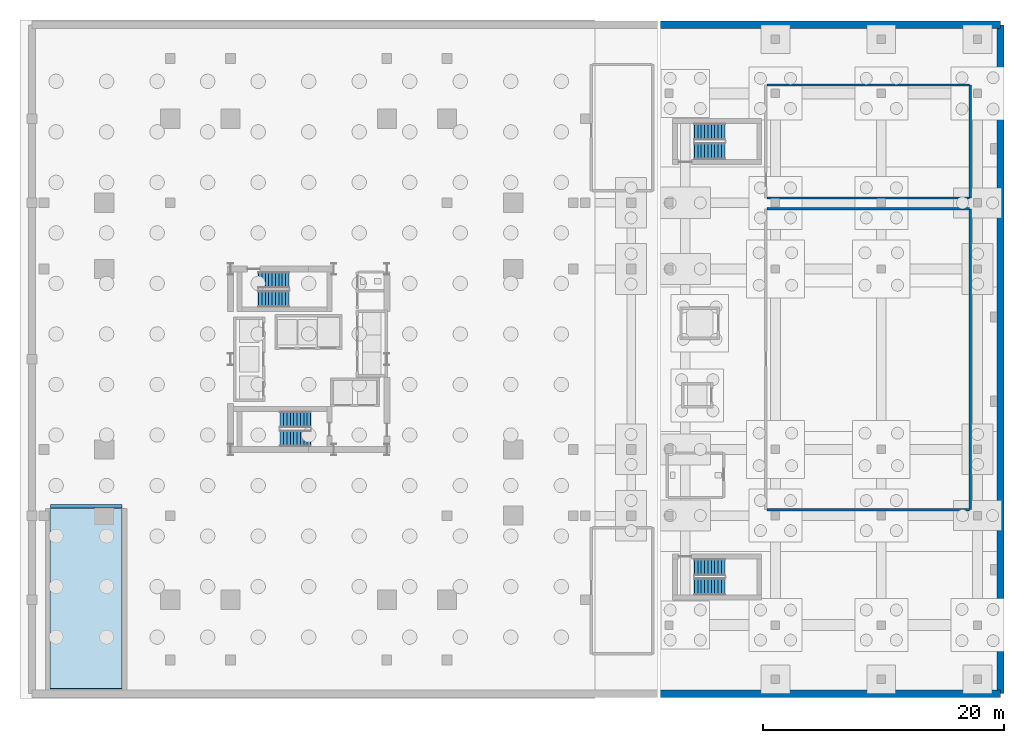
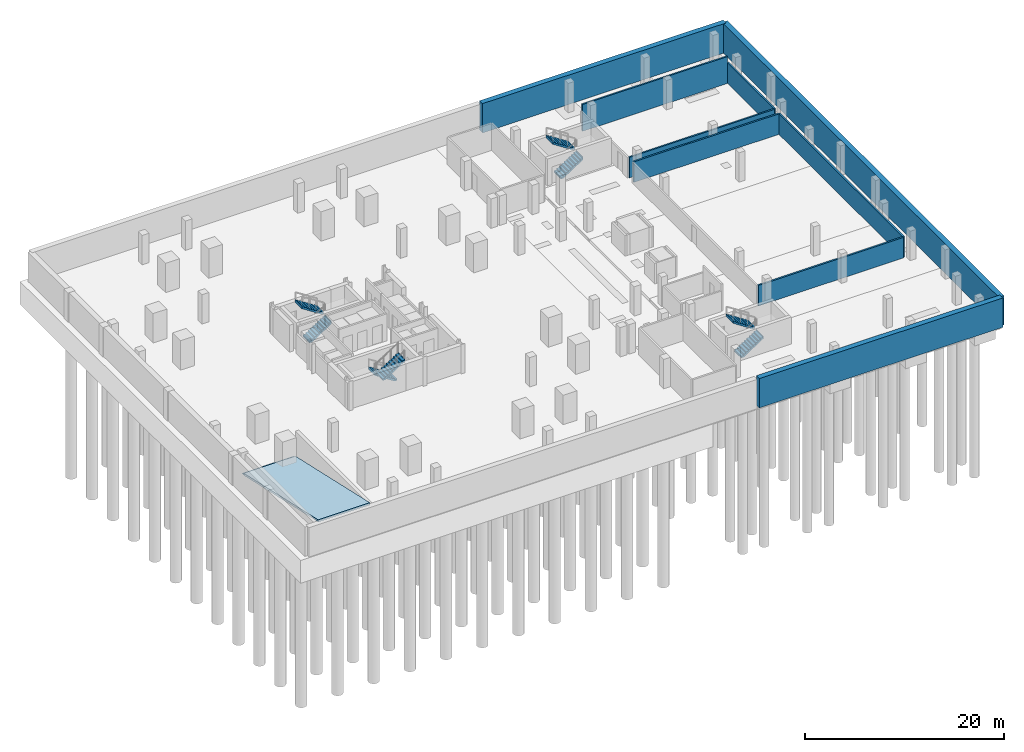
# One storey, part 7 of 13: 9 walls, 8 stair flights, 1 ramp, 1 slab, 4 elements without a shape of their own.
"""IFC4 building model written with IfcOpenShell, lengths in metres."""

from ifc_helpers import new_model, si_unit, direction, frame, frame_2d, origin, origin_2d, place, context, subcontext, project, spatial, polyline, rectangle, outline, extrude, material, layer, layer_set, type_object, element, aggregate, save


model = new_model("IFC4")

# Units and contexts
model_context = context("Model", 3, precision=1e-05, world=origin(), true_north=direction((0.0, 1.0)))
body_context = subcontext(model_context, "Body", "Model", "MODEL_VIEW")
ifc_project = project(units=[si_unit("LENGTHUNIT", "METRE"), si_unit("AREAUNIT", "SQUARE_METRE"), si_unit("VOLUMEUNIT", "CUBIC_METRE"), si_unit("PLANEANGLEUNIT", "RADIAN"), si_unit("MASSUNIT", "GRAM", prefix="KILO")], contexts=[model_context])

# Slab
ifc_material_1 = material(Name="Concrete C45", Category="concrete")
ifc_layer_1 = layer(ifc_material_1, 0.25, Name="Concrete C45")
ifc_layer_set_1 = layer_set([ifc_layer_1], Name="Concrete C45")
slab_type = type_object("IfcSlabType", Name="Vehicle Ramp Structural Slab 250 Concrete C45", PredefinedType="FLOOR", material=ifc_layer_set_1)
site_placement = place(None, origin())
building_placement = place(site_placement, origin())
storey_placement = place(building_placement, frame((0.0, 0.0, -7.199951171875)))
slab_placement = place(storey_placement, frame((-21.5, -27.364990234375, 3.599853515625), z_axis=(0.0, 0.218757190215, 0.975779325324), x_axis=(1.0, 0.0, 0.0)))
slab = element("IfcSlab", 1, at=slab_placement, type_object=slab_type, Name="Vehicle Ramp Structural Slab SL-RMF-V1", PredefinedType="FLOOR", context=body_context, shape_type="SweptSolid", body=[
    extrude(outline(polyline([(0.0, 0.0), (6.0, 0.0), (6.0, 15.336549465894372), (0.0, 15.336549465894372), (0.0, 0.0)])), origin(), (0.0, 0.0, -1.0), 0.25),
])

# Site, building, storey
site = spatial("IfcSite", under=ifc_project, at=site_placement, CompositionType="ELEMENT")
building = spatial("IfcBuilding", under=site, at=building_placement, Name="Barlavira Tower and Art Museum", CompositionType="ELEMENT")
storey = spatial("IfcBuildingStorey", under=building, at=storey_placement, Name="B02", CompositionType="ELEMENT", Elevation=-7.199951171875)

# Walls
ifc_material_2 = material(Name="Autoclaved aerated concrete masonry", Category="masonry")
ifc_layer_2 = layer(ifc_material_2, 0.199951171875, Name="Autoclaved aerated concrete masonry")
ifc_layer_set_2 = layer_set([ifc_layer_2], Name="Autoclaved aerated concrete masonry")
wall_type_1 = type_object("IfcWallType", Name="Fire Compartment and Shaft Wall 200", PredefinedType="SOLIDWALL", material=ifc_layer_set_2)
wall_1_placement = place(storey_placement, frame((55.0, -12.5, 0.0), z_axis=(0.0, 0.0, 1.0), x_axis=(0.0, 1.0, 0.0)))
element("IfcWall", 2, at=wall_1_placement, inside=storey, type_object=wall_type_1, Name="B02 Partition Wall 10", PredefinedType="SOLIDWALL", context=body_context, shape_type="SweptSolid", body=[
    extrude(rectangle(XDim=25.0, YDim=0.199951171875, at=frame_2d((12.5, 0.0))), origin(), (0.0, 0.0, 1.0), 2.516845703125),
])
for number, where, z_axis, x_axis, name in (
    (3, (38.080078125, -12.5, 0.0), (0.0, 0.0, 1.0), (1.0, 0.0, 0.0), "B02 Partition Wall 14"),
    (4, (38.080078125, 12.5, 0.0), (0.0, 0.0, 1.0), (1.0, 0.0, 0.0), "B02 Partition Wall 19"),
):
    element("IfcWall", number, at=place(storey_placement, frame(where, z_axis=z_axis, x_axis=x_axis)), inside=storey, type_object=wall_type_1, Name=name, PredefinedType="SOLIDWALL", context=body_context, shape_type="SweptSolid", body=[
        extrude(rectangle(XDim=16.83984375, YDim=0.199951171875, at=frame_2d((8.419921875, 0.0))), origin(), (0.0, 0.0, 1.0), 2.516845703125),
    ])
ifc_material_3 = material(Name="Gypsum acoustic stud partition", Category="gypsum")
ifc_layer_3 = layer(ifc_material_3, 0.179931640625, Name="Gypsum acoustic stud partition")
ifc_layer_set_3 = layer_set([ifc_layer_3], Name="Gypsum acoustic stud partition")
wall_type_2 = type_object("IfcWallType", Name="Inter-Tenancy Party Partition Wall 180", PredefinedType="PARTITIONING", material=ifc_layer_set_3)
wall_2_placement = place(storey_placement, frame((55.0, 13.39990234375, 0.0), z_axis=(0.0, 0.0, 1.0), x_axis=(0.0, 1.0, 0.0)))
element("IfcWall", 5, at=wall_2_placement, inside=storey, type_object=wall_type_2, Name="B02 Partition Wall 11", PredefinedType="PARTITIONING", context=body_context, shape_type="SweptSolid", body=[
    extrude(rectangle(XDim=9.400146484375, YDim=0.179931640625, at=frame_2d((4.7001953125, 0.0))), origin(), (0.0, 0.0, 1.0), 2.516845703125),
])
wall_3_placement = place(storey_placement, frame((38.080078125, 13.39990234375, 0.0), z_axis=(0.0, 0.0, 1.0), x_axis=(1.0, 0.0, 0.0)))
element("IfcWall", 6, at=wall_3_placement, inside=storey, type_object=wall_type_2, Name="B02 Partition Wall 20", PredefinedType="PARTITIONING", context=body_context, shape_type="SweptSolid", body=[
    extrude(rectangle(XDim=16.83984375, YDim=0.179931640625, at=frame_2d((8.419921875, 0.0))), origin(), (0.0, 0.0, 1.0), 2.516845703125),
])
wall_4_placement = place(storey_placement, frame((38.080078125, 22.800048828125, 0.0), z_axis=(0.0, 0.0, 1.0), x_axis=(1.0, 0.0, 0.0)))
element("IfcWall", 7, at=wall_4_placement, inside=storey, type_object=wall_type_2, Name="B02 Partition Wall 22", PredefinedType="PARTITIONING", context=body_context, shape_type="SweptSolid", body=[
    extrude(rectangle(XDim=16.83984375, YDim=0.179931640625, at=frame_2d((8.419921875, 0.0))), origin(), (0.0, 0.0, 1.0), 3.300048828125),
])
ifc_material_4 = material(Name="Concrete C50", Category="concrete")
ifc_layer_4 = layer(ifc_material_4, 0.60009765625, Name="Concrete C50")
ifc_layer_set_4 = layer_set([ifc_layer_4], Name="Concrete C50")
wall_type_3 = type_object("IfcWallType", Name="Perimeter Basement Retaining Wall 600 Concrete C50", PredefinedType="USERDEFINED", material=ifc_layer_set_4)
wall_5_placement = place(storey_placement, frame((29.25, -27.800048828125, 0.0), z_axis=(0.0, 0.0, 1.0), x_axis=(1.0, 0.0, 0.0)))
element("IfcWall", 8, at=wall_5_placement, inside=storey, type_object=wall_type_3, Name="B02 Retaining Wall SE", ObjectType="RETAININGWALL", PredefinedType="USERDEFINED", context=body_context, shape_type="SweptSolid", body=[
    extrude(rectangle(XDim=28.25, YDim=0.60009765625, at=frame_2d((14.125, 0.0))), origin(), (0.0, 0.0, 1.0), 3.599853515625),
])
wall_6_placement = place(storey_placement, frame((57.5, -27.800048828125, 0.0), z_axis=(0.0, 0.0, 1.0), x_axis=(0.0, 1.0, 0.0)))
element("IfcWall", 9, at=wall_6_placement, inside=storey, type_object=wall_type_3, Name="B02 Retaining Wall E", ObjectType="RETAININGWALL", PredefinedType="USERDEFINED", context=body_context, shape_type="SweptSolid", body=[
    extrude(rectangle(XDim=55.60009765625, YDim=0.60009765625, at=frame_2d((27.800048828125, 0.0))), origin(), (0.0, 0.0, 1.0), 3.599853515625),
])
wall_7_placement = place(storey_placement, frame((57.5, 27.800048828125, 0.0), z_axis=(0.0, 0.0, 1.0), x_axis=(-1.0, 0.0, 0.0)))
element("IfcWall", 10, at=wall_7_placement, inside=storey, type_object=wall_type_3, Name="B02 Retaining Wall NE", ObjectType="RETAININGWALL", PredefinedType="USERDEFINED", context=body_context, shape_type="SweptSolid", body=[
    extrude(rectangle(XDim=28.25, YDim=0.60009765625, at=frame_2d((14.125, 0.0))), origin(), (0.0, 0.0, 1.0), 3.599853515625),
])

# Stair, stair flights
stair_type_1 = type_object("IfcStairType", Name="Museum North Dog-Leg Exit Stair Assembly Concrete C45", PredefinedType="TWO_QUARTER_TURN_STAIR", material=ifc_material_1)
stair_1_placement = place(storey_placement, origin())
stair_1 = element("IfcStair", 11, at=stair_1_placement, inside=storey, type_object=stair_type_1, Name="B02 Museum North Exit Stair ST-M2", PredefinedType="TWO_QUARTER_TURN_STAIR")
ifc_material_5 = material(Name="Precast concrete C45", Category="concrete")
stair_flight_type_1 = type_object("IfcStairFlightType", Name="Museum North Dog-Leg Exit Stair Precast Flight 1400 Concrete C45", PredefinedType="STRAIGHT", material=ifc_material_5)
stair_flight_1_placement = place(storey_placement, frame((32.070068359375, 17.300048828125, 0.0), z_axis=(0.0, 0.0, 1.0), x_axis=(1.0, 0.0, 0.0)))
stair_flight_1 = element("IfcStairFlight", 12, at=stair_flight_1_placement, type_object=stair_flight_type_1, Name="ST-M2 flight 1", NumberOfRisers=10, NumberOfTreads=9, PredefinedType="STRAIGHT", RiserHeight=0.18, TreadLength=0.28, context=body_context, shape_type="SweptSolid", body=[
    extrude(outline(polyline([(-0.02490234375, 0.0), (0.0, 0.0), (0.0, 0.179931640625), (0.280029296875, 0.179931640625), (0.280029296875, 0.360107421875), (0.56005859375, 0.360107421875), (0.56005859375, 0.5400390625), (0.840087890625, 0.5400390625), (0.840087890625, 0.719970703125), (1.1201171875, 0.719970703125), (1.1201171875, 0.89990234375), (1.39990234375, 0.89990234375), (1.39990234375, 1.080078125), (1.679931640625, 1.080078125), (1.679931640625, 1.260009765625), (1.9599609375, 1.260009765625), (1.9599609375, 1.43994140625), (2.239990234375, 1.43994140625), (2.239990234375, 1.6201171875), (2.52001953125, 1.6201171875), (2.52001953125, 1.800048828125), (2.544921875, 1.800048828125), (2.544921875, 1.44189453125), (2.52001953125, 1.44189453125), (0.277099609375, -0.02490234375), (-0.02490234375, -0.02490234375), (-0.02490234375, 0.0)])), frame((0.0, 0.699951171875, 0.0), z_axis=(0.0, -1.0, 0.0), x_axis=(1.0, 0.0, 0.0)), (0.0, 0.0, 1.0), 1.39990234375),
])
stair_flight_2_placement = place(storey_placement, frame((34.590087890625, 18.89990234375, 1.800048828125), z_axis=(0.0, 0.0, 1.0), x_axis=(-1.0, 0.0, 0.0)))
stair_flight_2 = element("IfcStairFlight", 13, at=stair_flight_2_placement, type_object=stair_flight_type_1, Name="ST-M2 flight 2", NumberOfRisers=10, NumberOfTreads=9, PredefinedType="STRAIGHT", RiserHeight=0.18, TreadLength=0.28, context=body_context, shape_type="SweptSolid", body=[
    extrude(outline(polyline([(-0.02490234375, 0.0), (0.0, 0.0), (0.0, 0.179931640625), (0.280029296875, 0.179931640625), (0.280029296875, 0.360107421875), (0.56005859375, 0.360107421875), (0.56005859375, 0.5400390625), (0.840087890625, 0.5400390625), (0.840087890625, 0.719970703125), (1.1201171875, 0.719970703125), (1.1201171875, 0.89990234375), (1.39990234375, 0.89990234375), (1.39990234375, 1.080078125), (1.679931640625, 1.080078125), (1.679931640625, 1.260009765625), (1.9599609375, 1.260009765625), (1.9599609375, 1.43994140625), (2.239990234375, 1.43994140625), (2.239990234375, 1.6201171875), (2.52001953125, 1.6201171875), (2.52001953125, 1.800048828125), (2.544921875, 1.800048828125), (2.544921875, 1.44189453125), (2.52001953125, 1.44189453125), (0.277099609375, -0.02490234375), (-0.02490234375, -0.02490234375), (-0.02490234375, 0.0)])), frame((0.0, 0.699951171875, 0.0), z_axis=(0.0, -1.0, 0.0), x_axis=(1.0, 0.0, 0.0)), (0.0, 0.0, 1.0), 1.39990234375),
])
aggregate(stair_1, [stair_flight_1, stair_flight_2])

stair_type_2 = type_object("IfcStairType", Name="Museum South Dog-Leg Exit Stair Assembly Concrete C45", PredefinedType="TWO_QUARTER_TURN_STAIR", material=ifc_material_1)
stair_2_placement = place(storey_placement, origin())
stair_2 = element("IfcStair", 14, at=stair_2_placement, inside=storey, type_object=stair_type_2, Name="B02 Museum South Exit Stair ST-M1", PredefinedType="TWO_QUARTER_TURN_STAIR")
stair_flight_type_2 = type_object("IfcStairFlightType", Name="Museum South Dog-Leg Exit Stair Precast Flight 1400 Concrete C45", PredefinedType="STRAIGHT", material=ifc_material_5)
stair_flight_3_placement = place(storey_placement, frame((32.070068359375, -18.89990234375, 0.0), z_axis=(0.0, 0.0, 1.0), x_axis=(1.0, 0.0, 0.0)))
stair_flight_3 = element("IfcStairFlight", 15, at=stair_flight_3_placement, type_object=stair_flight_type_2, Name="ST-M1 flight 1", NumberOfRisers=10, NumberOfTreads=9, PredefinedType="STRAIGHT", RiserHeight=0.18, TreadLength=0.28, context=body_context, shape_type="SweptSolid", body=[
    extrude(outline(polyline([(-0.02490234375, 0.0), (0.0, 0.0), (0.0, 0.179931640625), (0.280029296875, 0.179931640625), (0.280029296875, 0.360107421875), (0.56005859375, 0.360107421875), (0.56005859375, 0.5400390625), (0.840087890625, 0.5400390625), (0.840087890625, 0.719970703125), (1.1201171875, 0.719970703125), (1.1201171875, 0.89990234375), (1.39990234375, 0.89990234375), (1.39990234375, 1.080078125), (1.679931640625, 1.080078125), (1.679931640625, 1.260009765625), (1.9599609375, 1.260009765625), (1.9599609375, 1.43994140625), (2.239990234375, 1.43994140625), (2.239990234375, 1.6201171875), (2.52001953125, 1.6201171875), (2.52001953125, 1.800048828125), (2.544921875, 1.800048828125), (2.544921875, 1.44189453125), (2.52001953125, 1.44189453125), (0.277099609375, -0.02490234375), (-0.02490234375, -0.02490234375), (-0.02490234375, 0.0)])), frame((0.0, 0.699951171875, 0.0), z_axis=(0.0, -1.0, 0.0), x_axis=(1.0, 0.0, 0.0)), (0.0, 0.0, 1.0), 1.39990234375),
])
stair_flight_4_placement = place(storey_placement, frame((34.590087890625, -17.300048828125, 1.800048828125), z_axis=(0.0, 0.0, 1.0), x_axis=(-1.0, 0.0, 0.0)))
stair_flight_4 = element("IfcStairFlight", 16, at=stair_flight_4_placement, type_object=stair_flight_type_2, Name="ST-M1 flight 2", NumberOfRisers=10, NumberOfTreads=9, PredefinedType="STRAIGHT", RiserHeight=0.18, TreadLength=0.28, context=body_context, shape_type="SweptSolid", body=[
    extrude(outline(polyline([(-0.02490234375, 0.0), (0.0, 0.0), (0.0, 0.179931640625), (0.280029296875, 0.179931640625), (0.280029296875, 0.360107421875), (0.56005859375, 0.360107421875), (0.56005859375, 0.5400390625), (0.840087890625, 0.5400390625), (0.840087890625, 0.719970703125), (1.1201171875, 0.719970703125), (1.1201171875, 0.89990234375), (1.39990234375, 0.89990234375), (1.39990234375, 1.080078125), (1.679931640625, 1.080078125), (1.679931640625, 1.260009765625), (1.9599609375, 1.260009765625), (1.9599609375, 1.43994140625), (2.239990234375, 1.43994140625), (2.239990234375, 1.6201171875), (2.52001953125, 1.6201171875), (2.52001953125, 1.800048828125), (2.544921875, 1.800048828125), (2.544921875, 1.44189453125), (2.52001953125, 1.44189453125), (0.277099609375, -0.02490234375), (-0.02490234375, -0.02490234375), (-0.02490234375, 0.0)])), frame((0.0, 0.699951171875, 0.0), z_axis=(0.0, -1.0, 0.0), x_axis=(1.0, 0.0, 0.0)), (0.0, 0.0, 1.0), 1.39990234375),
])
aggregate(stair_2, [stair_flight_3, stair_flight_4])

stair_type_3 = type_object("IfcStairType", Name="Tower North Dog-Leg Exit Stair Assembly Concrete C45", PredefinedType="TWO_QUARTER_TURN_STAIR", material=ifc_material_1)
stair_3_placement = place(storey_placement, origin())
stair_3 = element("IfcStair", 17, at=stair_3_placement, inside=storey, type_object=stair_type_3, Name="B02 Tower North Exit Stair ST-T2", PredefinedType="TWO_QUARTER_TURN_STAIR")
stair_flight_type_3 = type_object("IfcStairFlightType", Name="Tower North Dog-Leg Exit Stair Precast Flight 1350 Concrete C45", PredefinedType="STRAIGHT", material=ifc_material_5)
stair_flight_5_placement = place(storey_placement, frame((-4.169921875, 5.02490234375, 0.0), z_axis=(0.0, 0.0, 1.0), x_axis=(1.0, 0.0, 0.0)))
stair_flight_5 = element("IfcStairFlight", 18, at=stair_flight_5_placement, type_object=stair_flight_type_3, Name="ST-T2 flight 1", NumberOfRisers=10, NumberOfTreads=9, PredefinedType="STRAIGHT", RiserHeight=0.18, TreadLength=0.28, context=body_context, shape_type="SweptSolid", body=[
    extrude(outline(polyline([(-0.02490234375, 0.0), (0.0, 0.0), (0.0, 0.179931640625), (0.280029296875, 0.179931640625), (0.280029296875, 0.360107421875), (0.56005859375, 0.360107421875), (0.56005859375, 0.5400390625), (0.840087890625, 0.5400390625), (0.840087890625, 0.719970703125), (1.1201171875, 0.719970703125), (1.1201171875, 0.89990234375), (1.39990234375, 0.89990234375), (1.39990234375, 1.080078125), (1.679931640625, 1.080078125), (1.679931640625, 1.260009765625), (1.9599609375, 1.260009765625), (1.9599609375, 1.43994140625), (2.239990234375, 1.43994140625), (2.239990234375, 1.6201171875), (2.52001953125, 1.6201171875), (2.52001953125, 1.800048828125), (2.544921875, 1.800048828125), (2.544921875, 1.44189453125), (2.52001953125, 1.44189453125), (0.277099609375, -0.02490234375), (-0.02490234375, -0.02490234375), (-0.02490234375, 0.0)])), frame((0.0, 0.675048828125, 0.0), z_axis=(0.0, -1.0, 0.0), x_axis=(1.0, 0.0, 0.0)), (0.0, 0.0, 1.0), 1.35009765625),
])
stair_flight_6_placement = place(storey_placement, frame((-1.64990234375, 6.574951171875, 1.800048828125), z_axis=(0.0, 0.0, 1.0), x_axis=(-1.0, 0.0, 0.0)))
stair_flight_6 = element("IfcStairFlight", 19, at=stair_flight_6_placement, type_object=stair_flight_type_3, Name="ST-T2 flight 2", NumberOfRisers=10, NumberOfTreads=9, PredefinedType="STRAIGHT", RiserHeight=0.18, TreadLength=0.28, context=body_context, shape_type="SweptSolid", body=[
    extrude(outline(polyline([(-0.02490234375, 0.0), (0.0, 0.0), (0.0, 0.179931640625), (0.280029296875, 0.179931640625), (0.280029296875, 0.360107421875), (0.56005859375, 0.360107421875), (0.56005859375, 0.5400390625), (0.840087890625, 0.5400390625), (0.840087890625, 0.719970703125), (1.1201171875, 0.719970703125), (1.1201171875, 0.89990234375), (1.39990234375, 0.89990234375), (1.39990234375, 1.080078125), (1.679931640625, 1.080078125), (1.679931640625, 1.260009765625), (1.9599609375, 1.260009765625), (1.9599609375, 1.43994140625), (2.239990234375, 1.43994140625), (2.239990234375, 1.6201171875), (2.52001953125, 1.6201171875), (2.52001953125, 1.800048828125), (2.544921875, 1.800048828125), (2.544921875, 1.44189453125), (2.52001953125, 1.44189453125), (0.277099609375, -0.02490234375), (-0.02490234375, -0.02490234375), (-0.02490234375, 0.0)])), frame((0.0, 0.675048828125, 0.0), z_axis=(0.0, -1.0, 0.0), x_axis=(1.0, 0.0, 0.0)), (0.0, 0.0, 1.0), 1.35009765625),
])
aggregate(stair_3, [stair_flight_5, stair_flight_6])

stair_type_4 = type_object("IfcStairType", Name="Tower South Dog-Leg Exit Stair Assembly Concrete C45", PredefinedType="TWO_QUARTER_TURN_STAIR", material=ifc_material_1)
stair_4_placement = place(storey_placement, origin())
stair_4 = element("IfcStair", 20, at=stair_4_placement, inside=storey, type_object=stair_type_4, Name="B02 Tower South Exit Stair ST-T1", PredefinedType="TWO_QUARTER_TURN_STAIR")
stair_flight_type_4 = type_object("IfcStairFlightType", Name="Tower South Dog-Leg Exit Stair Precast Flight 1350 Concrete C45", PredefinedType="STRAIGHT", material=ifc_material_5)
stair_flight_7_placement = place(storey_placement, frame((0.14990234375, -5.02490234375, 0.0), z_axis=(0.0, 0.0, 1.0), x_axis=(-1.0, 0.0, 0.0)))
stair_flight_7 = element("IfcStairFlight", 21, at=stair_flight_7_placement, type_object=stair_flight_type_4, Name="ST-T1 flight 1", NumberOfRisers=10, NumberOfTreads=9, PredefinedType="STRAIGHT", RiserHeight=0.18, TreadLength=0.28, context=body_context, shape_type="SweptSolid", body=[
    extrude(outline(polyline([(-0.02490234375, 0.0), (0.0, 0.0), (0.0, 0.179931640625), (0.280029296875, 0.179931640625), (0.280029296875, 0.360107421875), (0.56005859375, 0.360107421875), (0.56005859375, 0.5400390625), (0.840087890625, 0.5400390625), (0.840087890625, 0.719970703125), (1.1201171875, 0.719970703125), (1.1201171875, 0.89990234375), (1.39990234375, 0.89990234375), (1.39990234375, 1.080078125), (1.679931640625, 1.080078125), (1.679931640625, 1.260009765625), (1.9599609375, 1.260009765625), (1.9599609375, 1.43994140625), (2.239990234375, 1.43994140625), (2.239990234375, 1.6201171875), (2.52001953125, 1.6201171875), (2.52001953125, 1.800048828125), (2.544921875, 1.800048828125), (2.544921875, 1.44189453125), (2.52001953125, 1.44189453125), (0.277099609375, -0.02490234375), (-0.02490234375, -0.02490234375), (-0.02490234375, 0.0)])), frame((0.0, 0.675048828125, 0.0), z_axis=(0.0, -1.0, 0.0), x_axis=(1.0, 0.0, 0.0)), (0.0, 0.0, 1.0), 1.35009765625),
])
stair_flight_8_placement = place(storey_placement, frame((-2.3701171875, -6.574951171875, 1.800048828125), z_axis=(0.0, 0.0, 1.0), x_axis=(1.0, 0.0, 0.0)))
stair_flight_8 = element("IfcStairFlight", 22, at=stair_flight_8_placement, type_object=stair_flight_type_4, Name="ST-T1 flight 2", NumberOfRisers=10, NumberOfTreads=9, PredefinedType="STRAIGHT", RiserHeight=0.18, TreadLength=0.28, context=body_context, shape_type="SweptSolid", body=[
    extrude(outline(polyline([(-0.02490234375, 0.0), (0.0, 0.0), (0.0, 0.179931640625), (0.280029296875, 0.179931640625), (0.280029296875, 0.360107421875), (0.56005859375, 0.360107421875), (0.56005859375, 0.5400390625), (0.840087890625, 0.5400390625), (0.840087890625, 0.719970703125), (1.1201171875, 0.719970703125), (1.1201171875, 0.89990234375), (1.39990234375, 0.89990234375), (1.39990234375, 1.080078125), (1.679931640625, 1.080078125), (1.679931640625, 1.260009765625), (1.9599609375, 1.260009765625), (1.9599609375, 1.43994140625), (2.239990234375, 1.43994140625), (2.239990234375, 1.6201171875), (2.52001953125, 1.6201171875), (2.52001953125, 1.800048828125), (2.544921875, 1.800048828125), (2.544921875, 1.44189453125), (2.52001953125, 1.44189453125), (0.277099609375, -0.02490234375), (-0.02490234375, -0.02490234375), (-0.02490234375, 0.0)])), frame((0.0, 0.675048828125, 0.0), z_axis=(0.0, -1.0, 0.0), x_axis=(1.0, 0.0, 0.0)), (0.0, 0.0, 1.0), 1.35009765625),
])
aggregate(stair_4, [stair_flight_7, stair_flight_8])

# Ramp
ramp_type = type_object("IfcRampType", Name="Basement Two-Way Vehicle Ramp Assembly Concrete C45", PredefinedType="STRAIGHT_RUN_RAMP", material=ifc_material_1)
ramp_placement = place(storey_placement, frame((-18.5, -12.219970703125, 0.0), z_axis=(0.0, 0.0, 1.0), x_axis=(1.0, 0.0, 0.0)))
ramp = element("IfcRamp", 23, at=ramp_placement, inside=storey, type_object=ramp_type, Name="B02 Two-Way Car-Park Vehicle Ramp", PredefinedType="STRAIGHT_RUN_RAMP", context=body_context, shape_type="SweptSolid", body=[
    extrude(rectangle(XDim=5.9599609375, YDim=0.320068359375, at=origin_2d()), origin(), (0.0, 0.0, 1.0), 0.0400390625),
])

aggregate(ramp, [slab])

save(model, "model.ifc")
